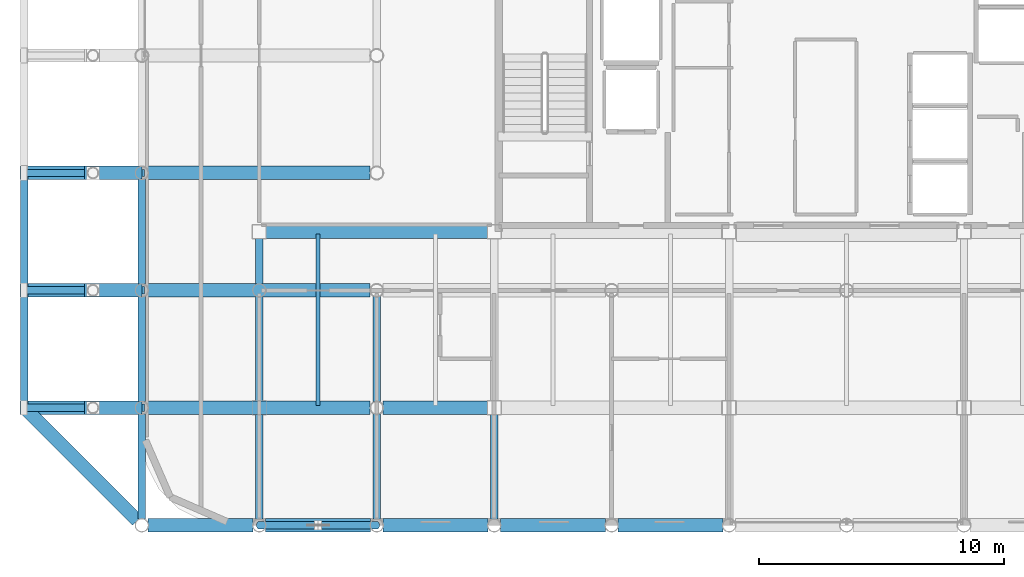
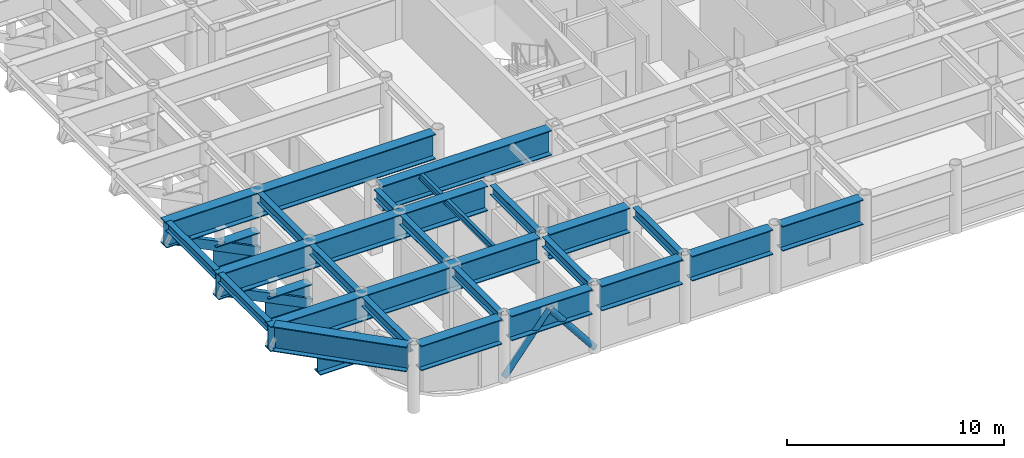
# One storey, part 5 of 27: 26 beams, 5 members.
"""IFC4 building model written with IfcOpenShell, lengths in metres."""

from ifc_helpers import new_model, si_unit, direction, frame, origin, origin_2d, place, context, subcontext, project, spatial, hollow_rectangle, hollow_circle, i_section, extrude, material, material_profile, profile_set, type_object, element, save


model = new_model("IFC4")

# Units and contexts
model_context = context("Model", 3, precision=1e-05, world=origin(), true_north=direction((0.0, 1.0)))
body_context = subcontext(model_context, "Body", "Model", "MODEL_VIEW")
ifc_project = project(units=[si_unit("LENGTHUNIT", "METRE"), si_unit("AREAUNIT", "SQUARE_METRE"), si_unit("VOLUMEUNIT", "CUBIC_METRE"), si_unit("PLANEANGLEUNIT", "RADIAN"), si_unit("MASSUNIT", "GRAM", prefix="KILO")], contexts=[model_context])

# Site, building, storey
site_placement = place(None, origin())
site = spatial("IfcSite", under=ifc_project, at=site_placement, CompositionType="ELEMENT")
building_placement = place(site_placement, origin())
building = spatial("IfcBuilding", under=site, at=building_placement, Name="Kallvorn Hotel Tower", CompositionType="ELEMENT")
storey_placement = place(building_placement, frame((0.0, 0.0, 245.39990234375)))
storey = spatial("IfcBuildingStorey", under=building, at=storey_placement, Name="L61", CompositionType="ELEMENT", Elevation=245.39990234375)

# Beams
ifc_material_1 = material(Name="Structural steel S355JR", Category="steel")
ifc_material_profile_1 = material_profile(ifc_material_1, i_section(OverallWidth=0.300048828125, OverallDepth=0.5, WebThickness=0.014404296875, FlangeThickness=0.028076171875, at=origin_2d()), Name="HE 500 B")
ifc_profile_set_1 = profile_set([ifc_material_profile_1], Name="Structural steel S355JR")
beam_type_1 = type_object("IfcBeamType", Name="BM_HE500B", PredefinedType="SPANDREL", material=ifc_profile_set_1)
for number, where, z_axis, x_axis, name in (
    (1, (-33.60009765625, -14.25, 3.420166015625), (0.0, 1.0, 0.0), (-1.0, 0.0, 0.0), "L62 Perimeter Spandrel 183"),
    (2, (-33.60009765625, -9.449951171875, 3.420166015625), (0.0, 1.0, 0.0), (-1.0, 0.0, 0.0), "L62 Perimeter Spandrel 184"),
):
    element("IfcBeam", number, at=place(storey_placement, frame(where, z_axis=z_axis, x_axis=x_axis)), inside=storey, type_object=beam_type_1, Name=name, PredefinedType="SPANDREL", context=body_context, shape_type="SweptSolid", body=[
        extrude(i_section(OverallWidth=0.300048828125, OverallDepth=0.5, WebThickness=0.014404296875, FlangeThickness=0.028076171875, at=origin_2d()), origin(), (0.0, 0.0, 1.0), 4.5),
    ])
ifc_material_2 = material(Name="Structural steel S355JR", Category="steel")
ifc_material_profile_2 = material_profile(ifc_material_2, i_section(OverallWidth=0.300048828125, OverallDepth=0.550048828125, WebThickness=0.014892578125, FlangeThickness=0.029052734375, at=origin_2d()), Name="HE 550 B")
ifc_profile_set_2 = profile_set([ifc_material_profile_2], Name="Structural steel S355JR")
beam_type_2 = type_object("IfcBeamType", Name="BM_HE550B", PredefinedType="SPANDREL", material=ifc_profile_set_2)
for number, where, z_axis, x_axis, name in (
    (3, (-28.800048828125, -18.945556640625, 3.39501953125), (0.0, 1.0, 0.0), (-1.0, 0.0, 0.0), "L62 Primary Y-Girder 82"),
    (4, (-28.800048828125, -14.1455078125, 3.39501953125), (0.0, 1.0, 0.0), (-1.0, 0.0, 0.0), "L62 Primary Y-Girder 83"),
    (5, (-28.800048828125, -9.345458984375, 3.39501953125), (0.0, 1.0, 0.0), (-1.0, 0.0, 0.0), "L62 Primary Y-Girder 84"),
):
    element("IfcBeam", number, at=place(storey_placement, frame(where, z_axis=z_axis, x_axis=x_axis)), inside=storey, type_object=beam_type_2, Name=name, PredefinedType="SPANDREL", context=body_context, shape_type="SweptSolid", body=[
        extrude(i_section(OverallWidth=0.300048828125, OverallDepth=0.550048828125, WebThickness=0.014892578125, FlangeThickness=0.029052734375, at=origin_2d()), origin(), (0.0, 0.0, 1.0), 4.291015625),
    ])
for number, where, z_axis, x_axis, name in (
    (6, (-24.0, -18.945556640625, 3.39501953125), (0.0, 1.0, 0.0), (-1.0, 0.0, 0.0), "L62 Primary Y-Girder 90"),
    (7, (-24.0, -14.125, 3.39501953125), (0.0, 1.0, 0.0), (-1.0, 0.0, 0.0), "L62 Primary Y-Girder 91"),
):
    element("IfcBeam", number, at=place(storey_placement, frame(where, z_axis=z_axis, x_axis=x_axis)), inside=storey, type_object=beam_type_2, Name=name, PredefinedType="SPANDREL", context=body_context, shape_type="SweptSolid", body=[
        extrude(i_section(OverallWidth=0.300048828125, OverallDepth=0.550048828125, WebThickness=0.014892578125, FlangeThickness=0.029052734375, at=origin_2d()), origin(), (0.0, 0.0, 1.0), 4.2705078125),
    ])
beam_1_placement = place(storey_placement, frame((-24.0, -9.345458984375, 3.39501953125), z_axis=(0.0, 1.0, 0.0), x_axis=(-1.0, 0.0, 0.0)))
element("IfcBeam", 8, at=beam_1_placement, inside=storey, type_object=beam_type_2, Name="L62 Primary Y-Girder 92", PredefinedType="SPANDREL", context=body_context, shape_type="SweptSolid", body=[
    extrude(i_section(OverallWidth=0.300048828125, OverallDepth=0.550048828125, WebThickness=0.014892578125, FlangeThickness=0.029052734375, at=origin_2d()), origin(), (0.0, 0.0, 1.0), 1.870361328125),
])
for number, where, z_axis, x_axis, name in (
    (9, (-19.199951171875, -18.945556640625, 3.39501953125), (0.0, 1.0, 0.0), (-1.0, 0.0, 0.0), "L62 Primary Y-Girder 97"),
    (10, (-19.199951171875, -14.1455078125, 3.39501953125), (0.0, 1.0, 0.0), (-1.0, 0.0, 0.0), "L62 Primary Y-Girder 98"),
):
    element("IfcBeam", number, at=place(storey_placement, frame(where, z_axis=z_axis, x_axis=x_axis)), inside=storey, type_object=beam_type_2, Name=name, PredefinedType="SPANDREL", context=body_context, shape_type="SweptSolid", body=[
        extrude(i_section(OverallWidth=0.300048828125, OverallDepth=0.550048828125, WebThickness=0.014892578125, FlangeThickness=0.029052734375, at=origin_2d()), origin(), (0.0, 0.0, 1.0), 4.291015625),
    ])
beam_2_placement = place(storey_placement, frame((-14.39990234375, -18.945556640625, 3.39501953125), z_axis=(0.0, 1.0, 0.0), x_axis=(-1.0, 0.0, 0.0)))
element("IfcBeam", 11, at=beam_2_placement, inside=storey, type_object=beam_type_2, Name="L62 Primary Y-Girder 106", PredefinedType="SPANDREL", context=body_context, shape_type="SweptSolid", body=[
    extrude(i_section(OverallWidth=0.300048828125, OverallDepth=0.550048828125, WebThickness=0.014892578125, FlangeThickness=0.029052734375, at=origin_2d()), origin(), (0.0, 0.0, 1.0), 4.2705078125),
])
ifc_material_3 = material(Name="Structural steel S355JR", Category="steel")
ifc_material_profile_3 = material_profile(ifc_material_3, i_section(OverallWidth=0.169921875, OverallDepth=0.360107421875, WebThickness=0.008056640625, FlangeThickness=0.0126953125, at=origin_2d()), Name="IPE 360")
ifc_profile_set_3 = profile_set([ifc_material_profile_3], Name="Structural steel S355JR")
beam_type_3 = type_object("IfcBeamType", Name="BM_IPE360", PredefinedType="JOIST", material=ifc_profile_set_3)
beam_3_placement = place(storey_placement, frame((-21.60009765625, -14.300048828125, 3.489990234375), z_axis=(0.0, 1.0, 0.0), x_axis=(-1.0, 0.0, 0.0)))
element("IfcBeam", 12, at=beam_3_placement, inside=storey, type_object=beam_type_3, Name="L62 Secondary Composite Joist 201", PredefinedType="JOIST", context=body_context, shape_type="SweptSolid", body=[
    extrude(i_section(OverallWidth=0.169921875, OverallDepth=0.360107421875, WebThickness=0.008056640625, FlangeThickness=0.0126953125, at=origin_2d()), origin(), (0.0, 0.0, 1.0), 7.0),
])
ifc_material_4 = material(Name="Structural steel S355JR", Category="steel")
ifc_material_profile_4 = material_profile(ifc_material_4, i_section(OverallWidth=0.550048828125, OverallDepth=1.39990234375, WebThickness=0.02490234375, FlangeThickness=0.044921875, at=origin_2d()), Name="PG 1400x550x25x45")
ifc_profile_set_4 = profile_set([ifc_material_profile_4], Name="Structural steel S355JR")
beam_type_4 = type_object("IfcBeamType", Name="BM_PG_1400", PredefinedType="BEAM", material=ifc_profile_set_4)
beam_4_placement = place(storey_placement, frame((-19.469482421875, -14.39990234375, 2.97021484375), z_axis=(-1.0, 0.0, 0.0), x_axis=(0.0, -1.0, 0.0)))
element("IfcBeam", 13, at=beam_4_placement, inside=storey, type_object=beam_type_4, Name="L62 Continuous Cantilever Transfer Girder 01", PredefinedType="BEAM", context=body_context, shape_type="SweptSolid", body=[
    extrude(i_section(OverallWidth=0.550048828125, OverallDepth=1.39990234375, WebThickness=0.02490234375, FlangeThickness=0.044921875, at=origin_2d()), origin(), (0.0, 0.0, 1.0), 14.310546875),
])
beam_5_placement = place(storey_placement, frame((-28.800048828125, -14.39990234375, 0.72021484375), z_axis=(-1.0, 0.0, 0.0), x_axis=(0.0, -1.0, 0.0)))
element("IfcBeam", 14, at=beam_5_placement, inside=storey, type_object=beam_type_4, Name="L62 Cantilever Haunch Corbel 01", PredefinedType="BEAM", context=body_context, shape_type="SweptSolid", body=[
    extrude(i_section(OverallWidth=0.550048828125, OverallDepth=1.39990234375, WebThickness=0.02490234375, FlangeThickness=0.044921875, at=origin_2d()), origin(), (0.0, 0.0, 1.0), 2.349853515625),
])
beam_6_placement = place(storey_placement, frame((-19.469482421875, -9.60009765625, 2.97021484375), z_axis=(-1.0, 0.0, 0.0), x_axis=(0.0, -1.0, 0.0)))
element("IfcBeam", 15, at=beam_6_placement, inside=storey, type_object=beam_type_4, Name="L62 Continuous Cantilever Transfer Girder 02", PredefinedType="BEAM", context=body_context, shape_type="SweptSolid", body=[
    extrude(i_section(OverallWidth=0.550048828125, OverallDepth=1.39990234375, WebThickness=0.02490234375, FlangeThickness=0.044921875, at=origin_2d()), origin(), (0.0, 0.0, 1.0), 14.310546875),
])
beam_7_placement = place(storey_placement, frame((-28.800048828125, -9.60009765625, 0.72021484375), z_axis=(-1.0, 0.0, 0.0), x_axis=(0.0, -1.0, 0.0)))
element("IfcBeam", 16, at=beam_7_placement, inside=storey, type_object=beam_type_4, Name="L62 Cantilever Haunch Corbel 02", PredefinedType="BEAM", context=body_context, shape_type="SweptSolid", body=[
    extrude(i_section(OverallWidth=0.550048828125, OverallDepth=1.39990234375, WebThickness=0.02490234375, FlangeThickness=0.044921875, at=origin_2d()), origin(), (0.0, 0.0, 1.0), 2.349853515625),
])
beam_8_placement = place(storey_placement, frame((-19.469482421875, -4.800048828125, 2.97021484375), z_axis=(-1.0, 0.0, 0.0), x_axis=(0.0, -1.0, 0.0)))
element("IfcBeam", 17, at=beam_8_placement, inside=storey, type_object=beam_type_4, Name="L62 Continuous Cantilever Transfer Girder 03", PredefinedType="BEAM", context=body_context, shape_type="SweptSolid", body=[
    extrude(i_section(OverallWidth=0.550048828125, OverallDepth=1.39990234375, WebThickness=0.02490234375, FlangeThickness=0.044921875, at=origin_2d()), origin(), (0.0, 0.0, 1.0), 14.310546875),
])
beam_9_placement = place(storey_placement, frame((-28.800048828125, -4.800048828125, 0.72021484375), z_axis=(-1.0, 0.0, 0.0), x_axis=(0.0, -1.0, 0.0)))
element("IfcBeam", 18, at=beam_9_placement, inside=storey, type_object=beam_type_4, Name="L62 Cantilever Haunch Corbel 03", PredefinedType="BEAM", context=body_context, shape_type="SweptSolid", body=[
    extrude(i_section(OverallWidth=0.550048828125, OverallDepth=1.39990234375, WebThickness=0.02490234375, FlangeThickness=0.044921875, at=origin_2d()), origin(), (0.0, 0.0, 1.0), 2.349853515625),
])
for number, where, z_axis, x_axis, name in (
    (19, (-28.54541015625, -19.199951171875, 2.97021484375), (1.0, 0.0, 0.0), (0.0, 1.0, 0.0), "L62 Primary X-Girder 10"),
    (20, (-23.74560546875, -19.199951171875, 2.97021484375), (1.0, 0.0, 0.0), (0.0, 1.0, 0.0), "L62 Primary X-Girder 11"),
    (21, (-18.945556640625, -19.199951171875, 2.97021484375), (1.0, 0.0, 0.0), (0.0, 1.0, 0.0), "L62 Primary X-Girder 12"),
    (22, (-14.1455078125, -19.199951171875, 2.97021484375), (1.0, 0.0, 0.0), (0.0, 1.0, 0.0), "L62 Primary X-Girder 13"),
    (23, (-9.345458984375, -19.199951171875, 2.97021484375), (1.0, 0.0, 0.0), (0.0, 1.0, 0.0), "L62 Primary X-Girder 14"),
):
    element("IfcBeam", number, at=place(storey_placement, frame(where, z_axis=z_axis, x_axis=x_axis)), inside=storey, type_object=beam_type_4, Name=name, PredefinedType="BEAM", context=body_context, shape_type="SweptSolid", body=[
        extrude(i_section(OverallWidth=0.550048828125, OverallDepth=1.39990234375, WebThickness=0.02490234375, FlangeThickness=0.044921875, at=origin_2d()), origin(), (0.0, 0.0, 1.0), 4.291015625),
    ])
beam_10_placement = place(storey_placement, frame((-18.945556640625, -14.39990234375, 2.97021484375), z_axis=(1.0, 0.0, 0.0), x_axis=(0.0, 1.0, 0.0)))
element("IfcBeam", 24, at=beam_10_placement, inside=storey, type_object=beam_type_4, Name="L62 Primary X-Girder 24", PredefinedType="BEAM", context=body_context, shape_type="SweptSolid", body=[
    extrude(i_section(OverallWidth=0.550048828125, OverallDepth=1.39990234375, WebThickness=0.02490234375, FlangeThickness=0.044921875, at=origin_2d()), origin(), (0.0, 0.0, 1.0), 4.2705078125),
])
beam_11_placement = place(storey_placement, frame((-23.72509765625, -7.199951171875, 2.97021484375), z_axis=(1.0, 0.0, 0.0), x_axis=(0.0, 1.0, 0.0)))
element("IfcBeam", 25, at=beam_11_placement, inside=storey, type_object=beam_type_4, Name="L62 Primary X-Girder 41", PredefinedType="BEAM", context=body_context, shape_type="SweptSolid", body=[
    extrude(i_section(OverallWidth=0.550048828125, OverallDepth=1.39990234375, WebThickness=0.02490234375, FlangeThickness=0.044921875, at=origin_2d()), origin(), (0.0, 0.0, 1.0), 9.050048828125),
])
beam_12_placement = place(storey_placement, frame((-33.493896484375, -14.506103515625, 2.97021484375), z_axis=(0.707106781187, -0.707106781187, 0.0), x_axis=(0.707106781187, 0.707106781187, 0.0)))
element("IfcBeam", 26, at=beam_12_placement, inside=storey, type_object=beam_type_4, Name="L62 Rounded Corner Tie Beam 198", PredefinedType="BEAM", context=body_context, shape_type="SweptSolid", body=[
    extrude(i_section(OverallWidth=0.550048828125, OverallDepth=1.39990234375, WebThickness=0.02490234375, FlangeThickness=0.044921875, at=origin_2d()), origin(), (0.0, 0.0, 1.0), 6.368896484375),
])

# Members
ifc_material_5 = material(Name="Structural steel S355J2H", Category="steel")
ifc_material_profile_5 = material_profile(ifc_material_5, hollow_circle(Radius=0.161865234375, WallThickness=0.012451171875, at=origin_2d()), Name="CHS 323.9x12.5")
ifc_profile_set_5 = profile_set([ifc_material_profile_5], Name="Structural steel S355J2H")
member_type_1 = type_object("IfcMemberType", Name="MBR_EXO_CHS323", PredefinedType="BRACE", material=ifc_profile_set_5)
for number, where, z_axis, x_axis, name in (
    (27, (-23.987548828125, -19.199951171875, 0.19580078125), (0.620928510901, 0.0, 0.783867198159), (0.0, 1.0, 0.0), "L61 Exoskeleton K-Brace S1A"),
    (28, (-19.21240234375, -19.199951171875, 0.19580078125), (-0.620928510901, 0.0, 0.783867198159), (0.0, -1.0, 0.0), "L61 Exoskeleton K-Brace S1B"),
):
    element("IfcMember", number, at=place(storey_placement, frame(where, z_axis=z_axis, x_axis=x_axis)), inside=storey, type_object=member_type_1, Name=name, PredefinedType="BRACE", context=body_context, shape_type="SweptSolid", body=[
        extrude(hollow_circle(Radius=0.161865234375, WallThickness=0.012451171875, at=origin_2d()), origin(), (0.0, 0.0, 1.0), 3.8251953125),
    ])
ifc_material_6 = material(Name="Structural steel S355J2H", Category="steel")
ifc_material_profile_6 = material_profile(ifc_material_6, hollow_rectangle(XDim=0.300048828125, YDim=0.5, WallThickness=0.02490234375, at=origin_2d()), Name="RHS 500x300x25")
ifc_profile_set_6 = profile_set([ifc_material_profile_6], Name="Structural steel S355J2H")
member_type_2 = type_object("IfcMemberType", Name="MBR_OUTRIGGER_RHS500", PredefinedType="BRACE", material=ifc_profile_set_6)
for number, where, z_axis, x_axis, name in (
    (29, (-28.800048828125, -14.39990234375, 0.25), (-0.896650696442, 0.0, 0.442738668484), (0.0, -1.0, 0.0), "L62 Exoskeleton Cantilever Raking Strut 01"),
    (30, (-28.800048828125, -9.60009765625, 0.25), (-0.896650696442, 0.0, 0.442738668484), (0.0, -1.0, 0.0), "L62 Exoskeleton Cantilever Raking Strut 02"),
    (31, (-28.800048828125, -4.800048828125, 0.25), (-0.896650696442, 0.0, 0.442738668484), (0.0, -1.0, 0.0), "L62 Exoskeleton Cantilever Raking Strut 03"),
):
    element("IfcMember", number, at=place(storey_placement, frame(where, z_axis=z_axis, x_axis=x_axis)), inside=storey, type_object=member_type_2, Name=name, PredefinedType="BRACE", context=body_context, shape_type="SweptSolid", body=[
        extrude(hollow_rectangle(XDim=0.300048828125, YDim=0.5, WallThickness=0.02490234375, at=origin_2d()), origin(), (0.0, 0.0, 1.0), 5.353271484375),
    ])

save(model, "model.ifc")
